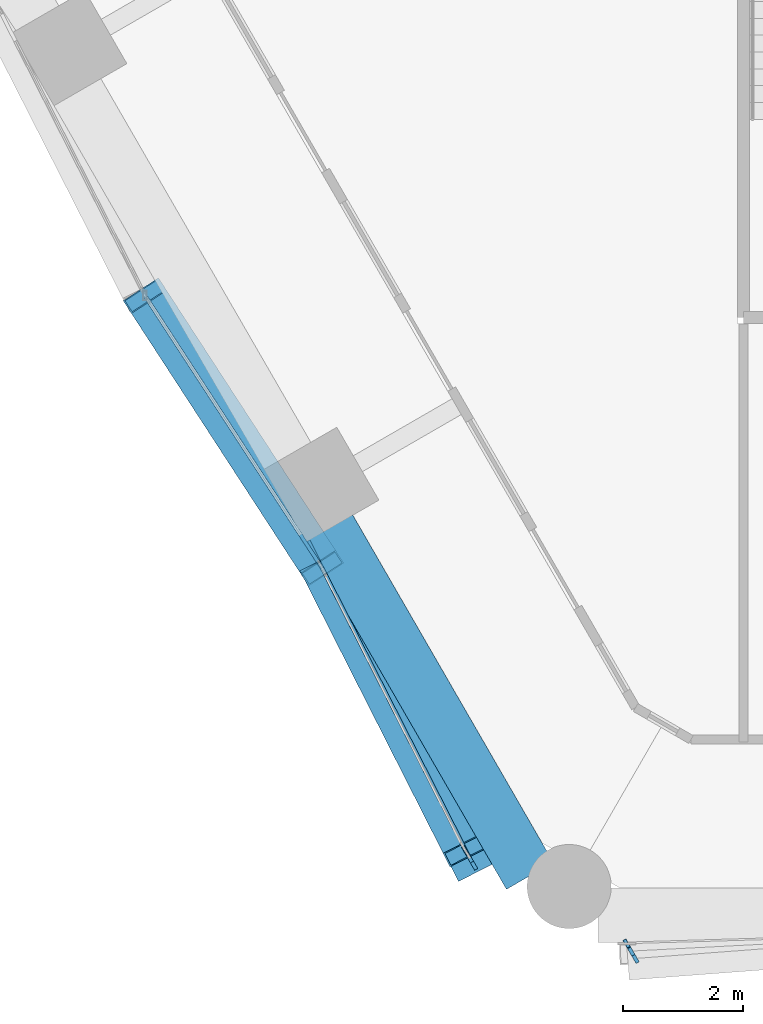
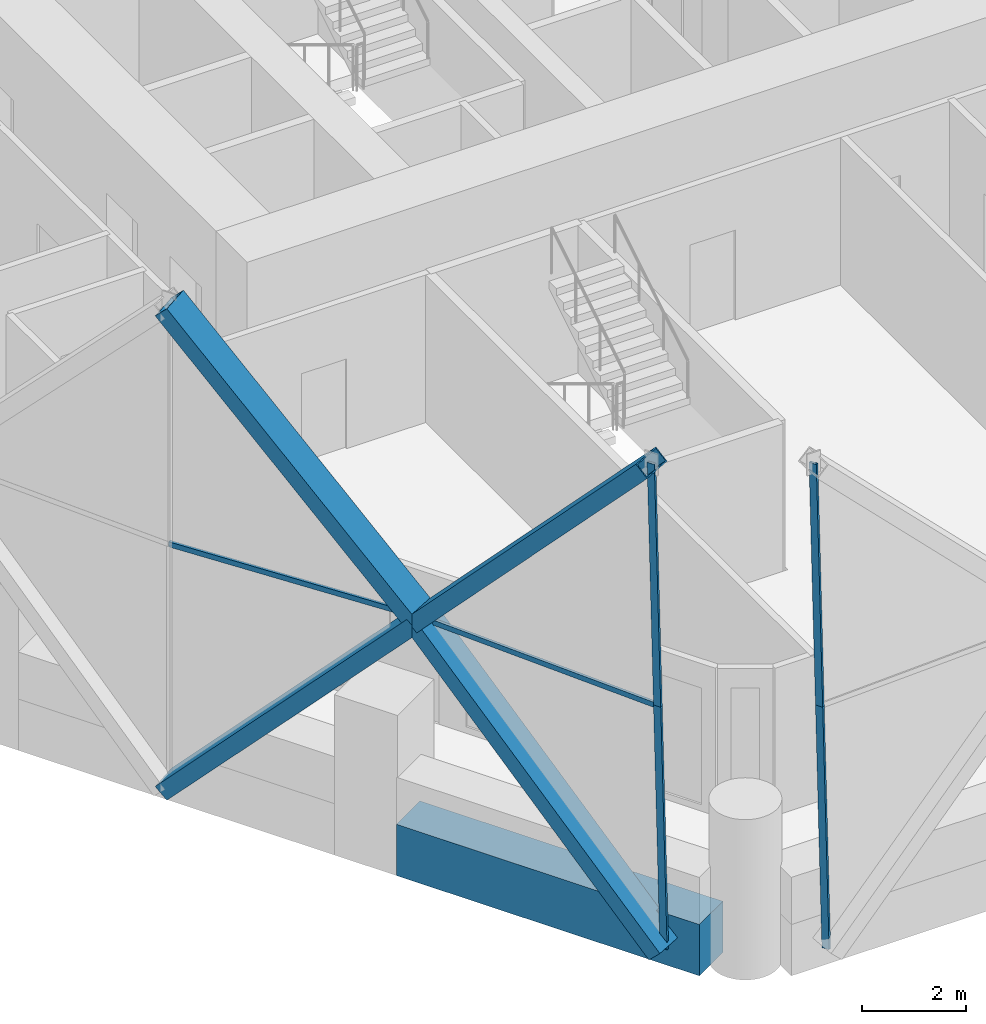
# One storey, part 2 of 22: 10 members, 1 beam, 3 elements without a shape of their own.
"""IFC4 building model written with IfcOpenShell, lengths in metres."""

from ifc_helpers import new_model, si_unit, direction, frame, origin, origin_2d, place, context, subcontext, project, spatial, rectangle, hollow_rectangle, extrude, material, material_profile, profile_set, type_object, element, aggregate, save


model = new_model("IFC4")

# Units and contexts
model_context = context("Model", 3, precision=1e-05, world=origin(), true_north=direction((0.0, 1.0)))
body_context = subcontext(model_context, "Body", "Model", "MODEL_VIEW")
ifc_project = project(units=[si_unit("LENGTHUNIT", "METRE"), si_unit("AREAUNIT", "SQUARE_METRE"), si_unit("VOLUMEUNIT", "CUBIC_METRE"), si_unit("PLANEANGLEUNIT", "RADIAN"), si_unit("MASSUNIT", "GRAM", prefix="KILO")], contexts=[model_context])

# Site, building, storey
site_placement = place(None, origin())
site = spatial("IfcSite", under=ifc_project, at=site_placement, CompositionType="ELEMENT")
building_placement = place(site_placement, origin())
building = spatial("IfcBuilding", under=site, at=building_placement, Name="Ostrander Bayou Hotel Tower", CompositionType="ELEMENT")
storey_placement = place(building_placement, frame((0.0, 0.0, 35.5)))
storey = spatial("IfcBuildingStorey", under=building, at=storey_placement, Name="L08", CompositionType="ELEMENT", Elevation=35.5)

# Curtain wall, members
ifc_material_1 = material(Name="Aluminium and clear glass", Category="aluminium")
curtain_wall_type = type_object("IfcCurtainWallType", Name="CW-LAT lattice glazing", PredefinedType="NOTDEFINED", material=ifc_material_1)
curtain_wall_1_placement = place(storey_placement, origin())
curtain_wall_1 = element("IfcCurtainWall", 1, at=curtain_wall_1_placement, inside=storey, type_object=curtain_wall_type, Name="CW-LAT L08 SW 1", PredefinedType="NOTDEFINED")
ifc_material_2 = material(Name="Aluminium", Category="aluminium")
ifc_material_profile_1 = material_profile(ifc_material_2, hollow_rectangle(XDim=0.06005859375, YDim=0.159912109375, WallThickness=0.00390625, at=origin_2d()))
ifc_profile_set_1 = profile_set([ifc_material_profile_1], Name="Aluminium")
member_type_1 = type_object("IfcMemberType", Name="CW-LA mullion 60 x 160 mm", PredefinedType="MULLION", material=ifc_profile_set_1)
member_1_placement = place(storey_placement, frame((-13.637939453125, -20.5185546875, -0.60009765625), z_axis=(-0.012582810856, 0.021824668484, 0.999682627996), x_axis=(-0.866328918095, -0.499473928922, 0.0)))
member_1 = element("IfcMember", 2, at=member_1_placement, type_object=member_type_1, Name="CW-LAT mullion 8", PredefinedType="MULLION", context=body_context, shape_type="SweptSolid", body=[
    extrude(hollow_rectangle(XDim=0.06005859375, YDim=0.159912109375, WallThickness=0.00390625, at=origin_2d()), origin(), (0.0, 0.0, 1.0), 5.626708984375),
])
member_2_placement = place(storey_placement, frame((-13.708740234375, -20.395751953125, 5.02490234375), z_axis=(-0.012582810856, 0.021824668484, 0.999682627996), x_axis=(-0.866328918095, -0.499473928922, 0.0)))
member_2 = element("IfcMember", 3, at=member_2_placement, type_object=member_type_1, Name="CW-LAT mullion 9", PredefinedType="MULLION", context=body_context, shape_type="SweptSolid", body=[
    extrude(hollow_rectangle(XDim=0.06005859375, YDim=0.159912109375, WallThickness=0.00390625, at=origin_2d()), origin(), (0.0, 0.0, 1.0), 5.626708984375),
])
aggregate(curtain_wall_1, [member_1, member_2])

curtain_wall_2_placement = place(storey_placement, origin())
curtain_wall_2 = element("IfcCurtainWall", 4, at=curtain_wall_2_placement, inside=storey, type_object=curtain_wall_type, Name="CW-LAT L08 S 1", PredefinedType="NOTDEFINED")
member_3_placement = place(storey_placement, frame((-10.95068359375, -22.070068359375, -0.60009765625), z_axis=(-0.012582810856, 0.021824668484, 0.999682627996), x_axis=(-0.866328918095, -0.499473928922, 0.0)))
member_3 = element("IfcMember", 5, at=member_3_placement, type_object=member_type_1, Name="CW-LAT mullion 1", PredefinedType="MULLION", context=body_context, shape_type="SweptSolid", body=[
    extrude(hollow_rectangle(XDim=0.06005859375, YDim=0.159912109375, WallThickness=0.00390625, at=origin_2d()), origin(), (0.0, 0.0, 1.0), 5.626708984375),
])
member_4_placement = place(storey_placement, frame((-11.021484375, -21.947265625, 5.02490234375), z_axis=(-0.012582810856, 0.021824668484, 0.999682627996), x_axis=(-0.866328918095, -0.499473928922, 0.0)))
member_4 = element("IfcMember", 6, at=member_4_placement, type_object=member_type_1, Name="CW-LAT mullion 2", PredefinedType="MULLION", context=body_context, shape_type="SweptSolid", body=[
    extrude(hollow_rectangle(XDim=0.06005859375, YDim=0.159912109375, WallThickness=0.00390625, at=origin_2d()), origin(), (0.0, 0.0, 1.0), 5.626708984375),
])
aggregate(curtain_wall_2, [member_3, member_4])

curtain_wall_3_placement = place(storey_placement, origin())
curtain_wall_3 = element("IfcCurtainWall", 7, at=curtain_wall_3_placement, inside=storey, type_object=curtain_wall_type, Name="CW-LAT L08 SW 2", PredefinedType="NOTDEFINED")
ifc_material_3 = material(Name="Aluminium", Category="aluminium")
ifc_material_profile_2 = material_profile(ifc_material_3, hollow_rectangle(XDim=0.06005859375, YDim=0.1201171875, WallThickness=0.00390625, at=origin_2d()))
ifc_profile_set_2 = profile_set([ifc_material_profile_2], Name="Aluminium")
member_type_2 = type_object("IfcMemberType", Name="CW-LA transom 60 x 120 mm", PredefinedType="USERDEFINED", material=ifc_profile_set_2)
member_5_placement = place(storey_placement, frame((-19.11328125, -11.034912109375, 5.02490234375), z_axis=(0.545191286947, -0.838311672731, 0.0), x_axis=(0.838311672731, 0.545191286947, 0.0)))
member_5 = element("IfcMember", 8, at=member_5_placement, type_object=member_type_2, Name="CW-LAT transom 7", ObjectType="TRANSOM", PredefinedType="USERDEFINED", context=body_context, shape_type="SweptSolid", body=[
    extrude(hollow_rectangle(XDim=0.06005859375, YDim=0.1201171875, WallThickness=0.00390625, at=origin_2d()), origin(), (0.0, 0.0, 1.0), 5.412109375),
])
member_6_placement = place(storey_placement, frame((-13.708740234375, -20.395751953125, 5.02490234375), z_axis=(-0.453387144201, 0.891313691959, 0.0), x_axis=(-0.891313691959, -0.453387144201, 0.0)))
member_6 = element("IfcMember", 9, at=member_6_placement, type_object=member_type_2, Name="CW-LAT transom 10", ObjectType="TRANSOM", PredefinedType="USERDEFINED", context=body_context, shape_type="SweptSolid", body=[
    extrude(hollow_rectangle(XDim=0.06005859375, YDim=0.1201171875, WallThickness=0.00390625, at=origin_2d()), origin(), (0.0, 0.0, 1.0), 5.921630859375),
])
aggregate(curtain_wall_3, [member_5, member_6])

# Members
ifc_material_4 = material(Name="Steel ASTM A572 Gr 50", Category="steel")
ifc_material_profile_3 = material_profile(ifc_material_4, hollow_rectangle(XDim=0.699951171875, YDim=0.35009765625, WallThickness=0.02490234375, at=origin_2d()))
ifc_profile_set_3 = profile_set([ifc_material_profile_3], Name="Steel ASTM A572 Gr 50")
member_type_3 = type_object("IfcMemberType", Name="LT1 lattice member box 700 x 350 x 25 mm", PredefinedType="BRACE", material=ifc_profile_set_3)
for number, where, z_axis, x_axis, name in (
    (10, (-16.16259765625, -15.572021484375, 5.02490234375), (-0.378005458796, 0.581238908345, -0.720606136906), (-0.838311672731, -0.545191286947, 0.0), "LT1 L08 SW 5"),
    (11, (-16.16259765625, -15.572021484375, 5.02490234375), (-0.378005458796, 0.581238908345, 0.720606136906), (-0.838311672731, -0.545191286947, 0.0), "LT1 L08 SW 6"),
):
    element("IfcMember", number, at=place(storey_placement, frame(where, z_axis=z_axis, x_axis=x_axis)), inside=storey, type_object=member_type_3, Name=name, PredefinedType="BRACE", context=body_context, shape_type="SweptSolid", body=[
        extrude(hollow_rectangle(XDim=0.699951171875, YDim=0.35009765625, WallThickness=0.02490234375, at=origin_2d()), origin(), (0.0, 0.0, 1.0), 7.805908203125),
    ])
member_7_placement = place(storey_placement, frame((-16.16259765625, -15.572021484375, 5.02490234375), z_axis=(0.319390978433, -0.625778997585, -0.711610883192), x_axis=(0.890695032294, 0.454601319232, 0.0)))
element("IfcMember", 12, at=member_7_placement, inside=storey, type_object=member_type_3, Name="LT1 L08 SW 7", PredefinedType="BRACE", context=body_context, shape_type="SweptSolid", body=[
    extrude(hollow_rectangle(XDim=0.699951171875, YDim=0.35009765625, WallThickness=0.02490234375, at=origin_2d()), origin(), (0.0, 0.0, 1.0), 7.904541015625),
])
member_8_placement = place(storey_placement, frame((-16.16259765625, -15.572021484375, 5.02490234375), z_axis=(0.309153546945, -0.60985058359, 0.729730326975), x_axis=(0.891939886916, 0.452153998244, 0.0)))
element("IfcMember", 13, at=member_8_placement, inside=storey, type_object=member_type_3, Name="LT1 L08 SW 8", PredefinedType="BRACE", context=body_context, shape_type="SweptSolid", body=[
    extrude(hollow_rectangle(XDim=0.699951171875, YDim=0.35009765625, WallThickness=0.02490234375, at=origin_2d()), origin(), (0.0, 0.0, 1.0), 7.708251953125),
])

# Beam
ifc_material_5 = material(Name="Concrete f'c 70 MPa", Category="concrete")
ifc_material_profile_4 = material_profile(ifc_material_5, rectangle(XDim=0.89990234375, YDim=1.199951171875, at=origin_2d()))
ifc_profile_set_4 = profile_set([ifc_material_profile_4], Name="Concrete f'c 70 MPa")
beam_type = type_object("IfcBeamType", Name="SP1 spandrel beam 900 x 1200 mm f'c 70 MPa", PredefinedType="SPANDREL", material=ifc_profile_set_4)
beam_placement = place(storey_placement, frame((-16.056884765625, -14.888671875, -0.60009765625), z_axis=(0.500005133765, -0.866022439784, 0.0), x_axis=(0.866022439784, 0.500005133765, 0.0)))
element("IfcBeam", 14, at=beam_placement, inside=storey, type_object=beam_type, Name="SP1 L08 SW-3", PredefinedType="SPANDREL", context=body_context, shape_type="SweptSolid", body=[
    extrude(rectangle(XDim=0.89990234375, YDim=1.199951171875, at=origin_2d()), origin(), (0.0, 0.0, 1.0), 6.70361328125),
])

save(model, "model.ifc")
